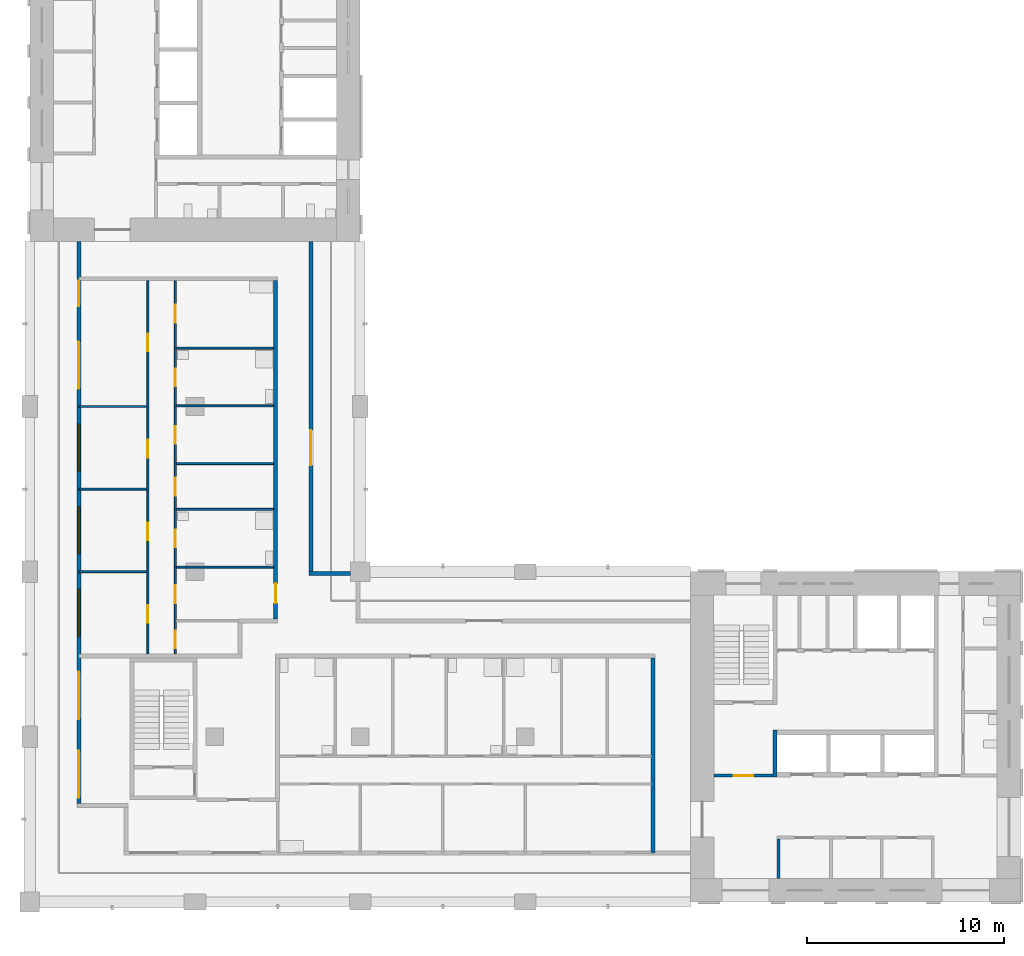
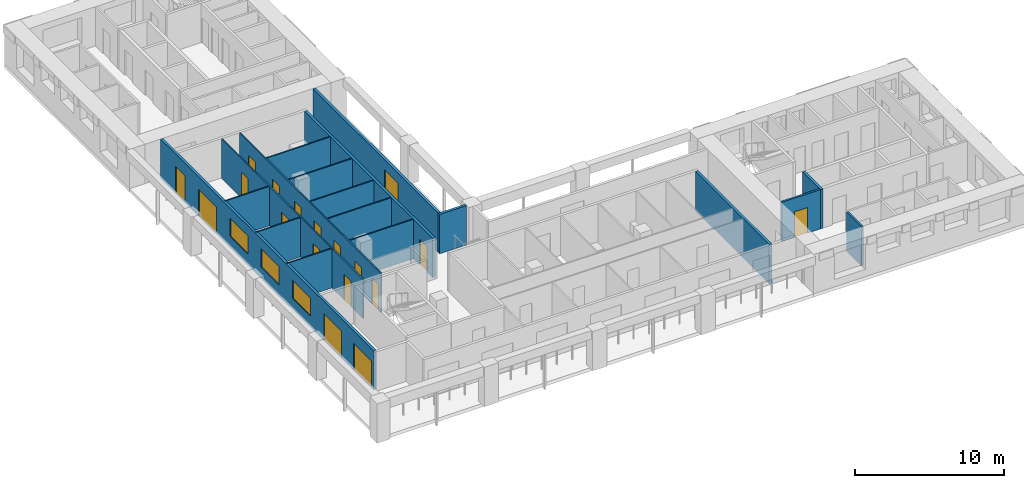
# One storey, part 3 of 10: 18 doors, 18 walls, 3 windows, 21 openings.
"""IFC4 building model written with IfcOpenShell, lengths in metres."""

from ifc_helpers import new_model, si_unit, direction, frame, frame_2d, origin, place, context, subcontext, project, spatial, rectangle, extrude, material, layer, layer_set, type_object, element, fill, save


model = new_model("IFC4")

# Units and contexts
model_context = context("Model", 3, precision=1e-05, world=origin(), true_north=direction((0.0, 1.0)))
body_context = subcontext(model_context, "Body", "Model", "MODEL_VIEW")
ifc_project = project(units=[si_unit("LENGTHUNIT", "METRE"), si_unit("AREAUNIT", "SQUARE_METRE"), si_unit("VOLUMEUNIT", "CUBIC_METRE"), si_unit("PLANEANGLEUNIT", "RADIAN"), si_unit("MASSUNIT", "GRAM", prefix="KILO")], contexts=[model_context])

# Site, building, storey
site_placement = place(None, origin())
site = spatial("IfcSite", under=ifc_project, at=site_placement, CompositionType="ELEMENT")
building_placement = place(site_placement, origin())
building = spatial("IfcBuilding", under=site, at=building_placement, Name="Vermilion Gate Residences", CompositionType="ELEMENT")
storey_placement = place(building_placement, frame((0.0, 0.0, 266.699951171875)))
storey = spatial("IfcBuildingStorey", under=building, at=storey_placement, Name="L70", CompositionType="ELEMENT", Elevation=266.699951171875)

# Wall
ifc_material_1 = material(Name="Masonry blockwork", Category="masonry")
ifc_layer_1 = layer(ifc_material_1, 0.14990234375)
ifc_layer_set_1 = layer_set([ifc_layer_1], Name="BLOCKWORK PARTITION 150 EI 120")
wall_type_1 = type_object("IfcWallType", Name="BLOCKWORK PARTITION 150 EI 120", PredefinedType="PARTITIONING", material=ifc_layer_set_1)
wall_1_placement = place(storey_placement, frame((46.47509765625, 9.60009765625, 0.0), z_axis=(0.0, 0.0, 1.0), x_axis=(0.0, 1.0, 0.0)))
element("IfcWall", 1, at=wall_1_placement, inside=storey, type_object=wall_type_1, Name="Core room partition A70-RW-W", PredefinedType="PARTITIONING", context=body_context, shape_type="SweptSolid", body=[
    extrude(rectangle(XDim=2.0, YDim=0.14990234375, at=frame_2d((1.0, 0.0))), origin(), (0.0, 0.0, 1.0), 3.219970703125),
])

# Wall, opening, door
wall_2_placement = place(storey_placement, frame((43.199951171875, 14.824951171875, 0.0), z_axis=(0.0, 0.0, 1.0), x_axis=(1.0, 0.0, 0.0)))
wall_2 = element("IfcWall", 2, at=wall_2_placement, inside=storey, type_object=wall_type_1, Name="Core room partition A70-VW-S", PredefinedType="PARTITIONING", context=body_context, shape_type="SweptSolid", body=[
    extrude(rectangle(XDim=3.0, YDim=0.14990234375, at=frame_2d((1.5, 0.0))), origin(), (0.0, 0.0, 1.0), 3.219970703125),
])
opening_1_placement = place(wall_2_placement, frame((1.0, 0.0, 0.0)))
opening_1 = element("IfcOpeningElement", 3, at=opening_1_placement, cuts=wall_2, Name="Opening DK70013", PredefinedType="OPENING", context=body_context, shape_type="SweptSolid", body=[
    extrude(rectangle(XDim=1.0, YDim=2.10009765625, at=frame_2d((0.5, 1.050048828125))), frame((0.0, 0.0849609375, 0.0), z_axis=(0.0, -1.0, 0.0), x_axis=(1.0, 0.0, 0.0)), (0.0, 0.0, 1.0), 0.169921875),
])
ifc_material_2 = material(Name="Steel", Category="steel")
door_type_1 = type_object("IfcDoorType", Name="FIRE DOOR FD60 1000 X 2100", OperationType="SINGLE_SWING_LEFT", PredefinedType="DOOR", material=ifc_material_2)
door_1_placement = place(opening_1_placement, frame((1.0, 0.0, 0.0), z_axis=(0.0, 0.0, 1.0), x_axis=(-1.0, 0.0, 0.0)))
door_1 = element("IfcDoor", 4, at=door_1_placement, inside=storey, type_object=door_type_1, Name="Stair vestibule door A70", OperationType="SINGLE_SWING_RIGHT", OverallHeight=2.10009765625, OverallWidth=1.0, PredefinedType="DOOR", context=body_context, shape_type="SweptSolid", body=[
    extrude(rectangle(XDim=1.0, YDim=2.10009765625, at=frame_2d((0.5, 1.050048828125))), frame((0.0, 0.02490234375, 0.0), z_axis=(0.0, -1.0, 0.0), x_axis=(1.0, 0.0, 0.0)), (0.0, 0.0, 1.0), 0.050048828125),
])
fill(opening_1, door_1)

# Wall, openings, doors, windows
ifc_material_3 = material(Name="Insulated steel stud wall with terracotta rainscreen", Category="masonry")
ifc_layer_2 = layer(ifc_material_3, 0.199951171875)
ifc_layer_set_2 = layer_set([ifc_layer_2], Name="EXTERNAL WALL 200 TERRACOTTA RAINSCREEN")
wall_type_2 = type_object("IfcWallType", Name="EXTERNAL WALL 200 TERRACOTTA RAINSCREEN", PredefinedType="SOLIDWALL", material=ifc_layer_set_2)
wall_3_placement = place(storey_placement, frame((10.89990234375, 42.0, 0.0), z_axis=(0.0, 0.0, 1.0), x_axis=(0.0, -1.0, 0.0)))
wall_3 = element("IfcWall", 5, at=wall_3_placement, inside=storey, type_object=wall_type_2, Name="External wall", PredefinedType="SOLIDWALL", context=body_context, shape_type="SweptSolid", body=[
    extrude(rectangle(XDim=28.60009765625, YDim=0.199951171875, at=frame_2d((14.300048828125, 0.0))), origin(), (0.0, 0.0, 1.0), 3.219970703125),
])
opening_2_placement = place(wall_3_placement, frame((25.89990234375, 0.0, 0.0)))
opening_2 = element("IfcOpeningElement", 6, at=opening_2_placement, cuts=wall_3, Name="Opening DE70001", PredefinedType="OPENING", context=body_context, shape_type="SweptSolid", body=[
    extrude(rectangle(XDim=2.39990234375, YDim=2.199951171875, at=frame_2d((1.199951171875, 1.10009765625))), frame((0.0, 0.10986328125, 0.0), z_axis=(0.0, -1.0, 0.0), x_axis=(1.0, 0.0, 0.0)), (0.0, 0.0, 1.0), 0.219970703125),
])
opening_3_placement = place(wall_3_placement, frame((21.89990234375, 0.0, 0.0)))
opening_3 = element("IfcOpeningElement", 7, at=opening_3_placement, cuts=wall_3, Name="Opening DE70002", PredefinedType="OPENING", context=body_context, shape_type="SweptSolid", body=[
    extrude(rectangle(XDim=2.39990234375, YDim=2.199951171875, at=frame_2d((1.199951171875, 1.10009765625))), frame((0.0, 0.10986328125, 0.0), z_axis=(0.0, -1.0, 0.0), x_axis=(1.0, 0.0, 0.0)), (0.0, 0.0, 1.0), 0.219970703125),
])
opening_4_placement = place(wall_3_placement, frame((17.699951171875, 0.0, 0.89990234375)))
opening_4 = element("IfcOpeningElement", 8, at=opening_4_placement, cuts=wall_3, Name="Opening WE70003", PredefinedType="OPENING", context=body_context, shape_type="SweptSolid", body=[
    extrude(rectangle(XDim=2.39990234375, YDim=1.5, at=frame_2d((1.199951171875, 0.75))), frame((0.0, 0.10986328125, 0.0), z_axis=(0.0, -1.0, 0.0), x_axis=(1.0, 0.0, 0.0)), (0.0, 0.0, 1.0), 0.219970703125),
])
opening_5_placement = place(wall_3_placement, frame((13.5, 0.0, 0.89990234375)))
opening_5 = element("IfcOpeningElement", 9, at=opening_5_placement, cuts=wall_3, Name="Opening WE70004", PredefinedType="OPENING", context=body_context, shape_type="SweptSolid", body=[
    extrude(rectangle(XDim=2.39990234375, YDim=1.5, at=frame_2d((1.199951171875, 0.75))), frame((0.0, 0.10986328125, 0.0), z_axis=(0.0, -1.0, 0.0), x_axis=(1.0, 0.0, 0.0)), (0.0, 0.0, 1.0), 0.219970703125),
])
opening_6_placement = place(wall_3_placement, frame((9.300048828125, 0.0, 0.89990234375)))
opening_6 = element("IfcOpeningElement", 10, at=opening_6_placement, cuts=wall_3, Name="Opening WE70005", PredefinedType="OPENING", context=body_context, shape_type="SweptSolid", body=[
    extrude(rectangle(XDim=2.39990234375, YDim=1.5, at=frame_2d((1.199951171875, 0.75))), frame((0.0, 0.10986328125, 0.0), z_axis=(0.0, -1.0, 0.0), x_axis=(1.0, 0.0, 0.0)), (0.0, 0.0, 1.0), 0.219970703125),
])
opening_7_placement = place(wall_3_placement, frame((5.10009765625, 0.0, 0.0)))
opening_7 = element("IfcOpeningElement", 11, at=opening_7_placement, cuts=wall_3, Name="Opening DE70006", PredefinedType="OPENING", context=body_context, shape_type="SweptSolid", body=[
    extrude(rectangle(XDim=2.39990234375, YDim=2.199951171875, at=frame_2d((1.199951171875, 1.10009765625))), frame((0.0, 0.10986328125, 0.0), z_axis=(0.0, -1.0, 0.0), x_axis=(1.0, 0.0, 0.0)), (0.0, 0.0, 1.0), 0.219970703125),
])
opening_8_placement = place(wall_3_placement, frame((2.0, 0.0, 0.0)))
opening_8 = element("IfcOpeningElement", 12, at=opening_8_placement, cuts=wall_3, Name="Opening DE70007", PredefinedType="OPENING", context=body_context, shape_type="SweptSolid", body=[
    extrude(rectangle(XDim=1.300048828125, YDim=2.199951171875, at=frame_2d((0.64990234375, 1.10009765625))), frame((0.0, 0.10986328125, 0.0), z_axis=(0.0, -1.0, 0.0), x_axis=(1.0, 0.0, 0.0)), (0.0, 0.0, 1.0), 0.219970703125),
])
ifc_material_4 = material(Name="Aluminium and clear glass", Category="aluminium")
door_type_2 = type_object("IfcDoorType", Name="SLIDING GLAZED DOOR 1300 X 2200", OperationType="DOUBLE_DOOR_SLIDING", PredefinedType="DOOR", material=ifc_material_4)
door_2_placement = place(opening_8_placement, origin())
door_2 = element("IfcDoor", 13, at=door_2_placement, inside=storey, type_object=door_type_2, Name="Loggia sliding door", OperationType="DOUBLE_DOOR_SLIDING", OverallHeight=2.199951171875, OverallWidth=1.300048828125, PredefinedType="DOOR", context=body_context, shape_type="SweptSolid", body=[
    extrude(rectangle(XDim=1.300048828125, YDim=2.199951171875, at=frame_2d((0.64990234375, 1.10009765625))), frame((0.0, 0.02490234375, 0.0), z_axis=(0.0, -1.0, 0.0), x_axis=(1.0, 0.0, 0.0)), (0.0, 0.0, 1.0), 0.050048828125),
])
fill(opening_8, door_2)
ifc_material_5 = material(Name="Aluminium and clear glass", Category="aluminium")
door_type_3 = type_object("IfcDoorType", Name="SLIDING GLAZED DOOR 2400 X 2200", OperationType="DOUBLE_DOOR_SLIDING", PredefinedType="DOOR", material=ifc_material_5)
door_3_placement = place(opening_2_placement, origin())
door_3 = element("IfcDoor", 14, at=door_3_placement, inside=storey, type_object=door_type_3, Name="Loggia sliding door", OperationType="DOUBLE_DOOR_SLIDING", OverallHeight=2.199951171875, OverallWidth=2.39990234375, PredefinedType="DOOR", context=body_context, shape_type="SweptSolid", body=[
    extrude(rectangle(XDim=2.39990234375, YDim=2.199951171875, at=frame_2d((1.199951171875, 1.10009765625))), frame((0.0, 0.02490234375, 0.0), z_axis=(0.0, -1.0, 0.0), x_axis=(1.0, 0.0, 0.0)), (0.0, 0.0, 1.0), 0.050048828125),
])
fill(opening_2, door_3)
door_4_placement = place(opening_3_placement, origin())
door_4 = element("IfcDoor", 15, at=door_4_placement, inside=storey, type_object=door_type_3, Name="Loggia sliding door", OperationType="DOUBLE_DOOR_SLIDING", OverallHeight=2.199951171875, OverallWidth=2.39990234375, PredefinedType="DOOR", context=body_context, shape_type="SweptSolid", body=[
    extrude(rectangle(XDim=2.39990234375, YDim=2.199951171875, at=frame_2d((1.199951171875, 1.10009765625))), frame((0.0, 0.02490234375, 0.0), z_axis=(0.0, -1.0, 0.0), x_axis=(1.0, 0.0, 0.0)), (0.0, 0.0, 1.0), 0.050048828125),
])
fill(opening_3, door_4)
door_5_placement = place(opening_7_placement, origin())
door_5 = element("IfcDoor", 16, at=door_5_placement, inside=storey, type_object=door_type_3, Name="Loggia sliding door", OperationType="DOUBLE_DOOR_SLIDING", OverallHeight=2.199951171875, OverallWidth=2.39990234375, PredefinedType="DOOR", context=body_context, shape_type="SweptSolid", body=[
    extrude(rectangle(XDim=2.39990234375, YDim=2.199951171875, at=frame_2d((1.199951171875, 1.10009765625))), frame((0.0, 0.02490234375, 0.0), z_axis=(0.0, -1.0, 0.0), x_axis=(1.0, 0.0, 0.0)), (0.0, 0.0, 1.0), 0.050048828125),
])
fill(opening_7, door_5)
ifc_material_6 = material(Name="Aluminium and clear glass", Category="aluminium")
window_type = type_object("IfcWindowType", Name="WINDOW 2400 X 1500", PartitioningType="SINGLE_PANEL", PredefinedType="WINDOW", material=ifc_material_6)
window_1_placement = place(opening_4_placement, origin())
window_1 = element("IfcWindow", 17, at=window_1_placement, inside=storey, type_object=window_type, Name="Window", OverallHeight=1.5, OverallWidth=2.39990234375, PartitioningType="SINGLE_PANEL", PredefinedType="WINDOW", context=body_context, shape_type="SweptSolid", body=[
    extrude(rectangle(XDim=2.39990234375, YDim=1.5, at=frame_2d((1.199951171875, 0.75))), frame((0.0, 0.030029296875, 0.0), z_axis=(0.0, -1.0, 0.0), x_axis=(1.0, 0.0, 0.0)), (0.0, 0.0, 1.0), 0.06005859375),
])
fill(opening_4, window_1)
window_2_placement = place(opening_5_placement, origin())
window_2 = element("IfcWindow", 18, at=window_2_placement, inside=storey, type_object=window_type, Name="Window", OverallHeight=1.5, OverallWidth=2.39990234375, PartitioningType="SINGLE_PANEL", PredefinedType="WINDOW", context=body_context, shape_type="SweptSolid", body=[
    extrude(rectangle(XDim=2.39990234375, YDim=1.5, at=frame_2d((1.199951171875, 0.75))), frame((0.0, 0.030029296875, 0.0), z_axis=(0.0, -1.0, 0.0), x_axis=(1.0, 0.0, 0.0)), (0.0, 0.0, 1.0), 0.06005859375),
])
fill(opening_5, window_2)
window_3_placement = place(opening_6_placement, origin())
window_3 = element("IfcWindow", 19, at=window_3_placement, inside=storey, type_object=window_type, Name="Window", OverallHeight=1.5, OverallWidth=2.39990234375, PartitioningType="SINGLE_PANEL", PredefinedType="WINDOW", context=body_context, shape_type="SweptSolid", body=[
    extrude(rectangle(XDim=2.39990234375, YDim=1.5, at=frame_2d((1.199951171875, 0.75))), frame((0.0, 0.030029296875, 0.0), z_axis=(0.0, -1.0, 0.0), x_axis=(1.0, 0.0, 0.0)), (0.0, 0.0, 1.0), 0.06005859375),
])
fill(opening_6, window_3)

# Wall
wall_4_placement = place(storey_placement, frame((24.699951171875, 25.10009765625, 0.0), z_axis=(0.0, 0.0, 1.0), x_axis=(-1.0, 0.0, 0.0)))
element("IfcWall", 20, at=wall_4_placement, inside=storey, type_object=wall_type_2, Name="External wall", PredefinedType="SOLIDWALL", context=body_context, shape_type="SweptSolid", body=[
    extrude(rectangle(XDim=2.099853515625, YDim=0.199951171875, at=frame_2d((1.0498046875, 0.0))), origin(), (0.0, 0.0, 1.0), 3.219970703125),
])

# Wall, opening, door
wall_5_placement = place(storey_placement, frame((22.699951171875, 25.199951171875, 0.0), z_axis=(0.0, 0.0, 1.0), x_axis=(0.0, 1.0, 0.0)))
wall_5 = element("IfcWall", 21, at=wall_5_placement, inside=storey, type_object=wall_type_2, Name="External wall", PredefinedType="SOLIDWALL", context=body_context, shape_type="SweptSolid", body=[
    extrude(rectangle(XDim=16.800048828125, YDim=0.199951171875, at=frame_2d((8.39990234375, 0.0))), origin(), (0.0, 0.0, 1.0), 3.219970703125),
])
opening_9_placement = place(wall_5_placement, frame((5.39990234375, 0.0, 0.0)))
opening_9 = element("IfcOpeningElement", 22, at=opening_9_placement, cuts=wall_5, Name="Opening DE70016", PredefinedType="OPENING", context=body_context, shape_type="SweptSolid", body=[
    extrude(rectangle(XDim=1.800048828125, YDim=2.39990234375, at=frame_2d((0.89990234375, 1.199951171875))), frame((0.0, 0.10986328125, 0.0), z_axis=(0.0, -1.0, 0.0), x_axis=(1.0, 0.0, 0.0)), (0.0, 0.0, 1.0), 0.219970703125),
])
ifc_material_7 = material(Name="Aluminium and clear glass", Category="aluminium")
door_type_4 = type_object("IfcDoorType", Name="GLAZED EXTERNAL DOOR 1800 X 2400", OperationType="DOUBLE_DOOR_SINGLE_SWING", PredefinedType="DOOR", material=ifc_material_7)
door_6_placement = place(opening_9_placement, frame((1.800048828125, 0.0, 0.0), z_axis=(0.0, 0.0, 1.0), x_axis=(-1.0, 0.0, 0.0)))
door_6 = element("IfcDoor", 23, at=door_6_placement, inside=storey, type_object=door_type_4, Name="Gallery door", OperationType="DOUBLE_DOOR_SINGLE_SWING", OverallHeight=2.39990234375, OverallWidth=1.800048828125, PredefinedType="DOOR", context=body_context, shape_type="SweptSolid", body=[
    extrude(rectangle(XDim=1.800048828125, YDim=2.39990234375, at=frame_2d((0.89990234375, 1.199951171875))), frame((0.0, 0.02490234375, 0.0), z_axis=(0.0, -1.0, 0.0), x_axis=(1.0, 0.0, 0.0)), (0.0, 0.0, 1.0), 0.050048828125),
])
fill(opening_9, door_6)

# Walls
ifc_material_8 = material(Name="Plasterboard on steel studs", Category="steel")
ifc_layer_3 = layer(ifc_material_8, 0.10009765625)
ifc_layer_set_3 = layer_set([ifc_layer_3], Name="PARTITION 100")
wall_type_3 = type_object("IfcWallType", Name="PARTITION 100", PredefinedType="PARTITIONING", material=ifc_layer_set_3)
wall_6_placement = place(storey_placement, frame((10.89990234375, 25.199951171875, 0.0), z_axis=(0.0, 0.0, 1.0), x_axis=(1.0, 0.0, 0.0)))
element("IfcWall", 24, at=wall_6_placement, inside=storey, type_object=wall_type_3, Name="Partition", PredefinedType="PARTITIONING", context=body_context, shape_type="SweptSolid", body=[
    extrude(rectangle(XDim=3.4501953125, YDim=0.10009765625, at=frame_2d((1.72509765625, 0.0))), origin(), (0.0, 0.0, 1.0), 3.219970703125),
])
for number, where, z_axis, x_axis, name in (
    (25, (15.85009765625, 25.43310546875, 0.0), (0.0, 0.0, 1.0), (1.0, 0.0, 0.0), "Partition"),
    (26, (15.85009765625, 28.366943359375, 0.0), (0.0, 0.0, 1.0), (1.0, 0.0, 0.0), "Partition"),
):
    element("IfcWall", number, at=place(storey_placement, frame(where, z_axis=z_axis, x_axis=x_axis)), inside=storey, type_object=wall_type_3, Name=name, PredefinedType="PARTITIONING", context=body_context, shape_type="SweptSolid", body=[
        extrude(rectangle(XDim=4.949951171875, YDim=0.10009765625, at=frame_2d((2.47509765625, 0.0))), origin(), (0.0, 0.0, 1.0), 3.219970703125),
    ])
wall_7_placement = place(storey_placement, frame((10.89990234375, 29.39990234375, 0.0), z_axis=(0.0, 0.0, 1.0), x_axis=(1.0, 0.0, 0.0)))
element("IfcWall", 27, at=wall_7_placement, inside=storey, type_object=wall_type_3, Name="Partition", PredefinedType="PARTITIONING", context=body_context, shape_type="SweptSolid", body=[
    extrude(rectangle(XDim=3.4501953125, YDim=0.10009765625, at=frame_2d((1.72509765625, 0.0))), origin(), (0.0, 0.0, 1.0), 3.219970703125),
])
wall_8_placement = place(storey_placement, frame((15.85009765625, 30.699951171875, 0.0), z_axis=(0.0, 0.0, 1.0), x_axis=(1.0, 0.0, 0.0)))
element("IfcWall", 28, at=wall_8_placement, inside=storey, type_object=wall_type_3, Name="Partition", PredefinedType="PARTITIONING", context=body_context, shape_type="SweptSolid", body=[
    extrude(rectangle(XDim=4.949951171875, YDim=0.10009765625, at=frame_2d((2.47509765625, 0.0))), origin(), (0.0, 0.0, 1.0), 3.219970703125),
])
wall_9_placement = place(storey_placement, frame((10.89990234375, 33.60009765625, 0.0), z_axis=(0.0, 0.0, 1.0), x_axis=(1.0, 0.0, 0.0)))
element("IfcWall", 29, at=wall_9_placement, inside=storey, type_object=wall_type_3, Name="Partition", PredefinedType="PARTITIONING", context=body_context, shape_type="SweptSolid", body=[
    extrude(rectangle(XDim=3.4501953125, YDim=0.10009765625, at=frame_2d((1.72509765625, 0.0))), origin(), (0.0, 0.0, 1.0), 3.219970703125),
])
for number, where, z_axis, x_axis, name in (
    (30, (15.85009765625, 33.633056640625, 0.0), (0.0, 0.0, 1.0), (1.0, 0.0, 0.0), "Partition"),
    (31, (15.85009765625, 36.56689453125, 0.0), (0.0, 0.0, 1.0), (1.0, 0.0, 0.0), "Partition"),
):
    element("IfcWall", number, at=place(storey_placement, frame(where, z_axis=z_axis, x_axis=x_axis)), inside=storey, type_object=wall_type_3, Name=name, PredefinedType="PARTITIONING", context=body_context, shape_type="SweptSolid", body=[
        extrude(rectangle(XDim=4.949951171875, YDim=0.10009765625, at=frame_2d((2.47509765625, 0.0))), origin(), (0.0, 0.0, 1.0), 3.219970703125),
    ])

# Wall, openings, doors
wall_10_placement = place(storey_placement, frame((14.39990234375, 21.0, 0.0), z_axis=(0.0, 0.0, 1.0), x_axis=(0.0, 1.0, 0.0)))
wall_10 = element("IfcWall", 32, at=wall_10_placement, inside=storey, type_object=wall_type_3, Name="Partition", PredefinedType="PARTITIONING", context=body_context, shape_type="SweptSolid", body=[
    extrude(rectangle(XDim=19.0, YDim=0.10009765625, at=frame_2d((9.5, 0.0))), origin(), (0.0, 0.0, 1.0), 3.219970703125),
])
opening_10_placement = place(wall_10_placement, frame((1.60009765625, 0.0, 0.0)))
opening_10 = element("IfcOpeningElement", 33, at=opening_10_placement, cuts=wall_10, Name="Opening DA70014", PredefinedType="OPENING", context=body_context, shape_type="SweptSolid", body=[
    extrude(rectangle(XDim=0.89990234375, YDim=2.10009765625, at=frame_2d((0.449951171875, 1.050048828125))), frame((0.0, 0.06005859375, 0.0), z_axis=(0.0, -1.0, 0.0), x_axis=(1.0, 0.0, 0.0)), (0.0, 0.0, 1.0), 0.1201171875),
])
opening_11_placement = place(wall_10_placement, frame((5.800048828125, 0.0, 0.0)))
opening_11 = element("IfcOpeningElement", 34, at=opening_11_placement, cuts=wall_10, Name="Opening DA70015", PredefinedType="OPENING", context=body_context, shape_type="SweptSolid", body=[
    extrude(rectangle(XDim=0.89990234375, YDim=2.10009765625, at=frame_2d((0.449951171875, 1.050048828125))), frame((0.0, 0.06005859375, 0.0), z_axis=(0.0, -1.0, 0.0), x_axis=(1.0, 0.0, 0.0)), (0.0, 0.0, 1.0), 0.1201171875),
])
opening_12_placement = place(wall_10_placement, frame((10.0, 0.0, 0.0)))
opening_12 = element("IfcOpeningElement", 35, at=opening_12_placement, cuts=wall_10, Name="Opening DA70016", PredefinedType="OPENING", context=body_context, shape_type="SweptSolid", body=[
    extrude(rectangle(XDim=0.89990234375, YDim=2.10009765625, at=frame_2d((0.449951171875, 1.050048828125))), frame((0.0, 0.06005859375, 0.0), z_axis=(0.0, -1.0, 0.0), x_axis=(1.0, 0.0, 0.0)), (0.0, 0.0, 1.0), 0.1201171875),
])
opening_13_placement = place(wall_10_placement, frame((15.39990234375, 0.0, 0.0)))
opening_13 = element("IfcOpeningElement", 36, at=opening_13_placement, cuts=wall_10, Name="Opening DA70017", PredefinedType="OPENING", context=body_context, shape_type="SweptSolid", body=[
    extrude(rectangle(XDim=0.89990234375, YDim=2.10009765625, at=frame_2d((0.449951171875, 1.050048828125))), frame((0.0, 0.06005859375, 0.0), z_axis=(0.0, -1.0, 0.0), x_axis=(1.0, 0.0, 0.0)), (0.0, 0.0, 1.0), 0.1201171875),
])
ifc_material_9 = material(Name="Timber", Category="wood")
door_type_5 = type_object("IfcDoorType", Name="INTERIOR DOOR 900 X 2100", OperationType="SINGLE_SWING_LEFT", PredefinedType="DOOR", material=ifc_material_9)
door_7_placement = place(opening_10_placement, origin())
door_7 = element("IfcDoor", 37, at=door_7_placement, inside=storey, type_object=door_type_5, Name="Interior door", OperationType="SINGLE_SWING_LEFT", OverallHeight=2.10009765625, OverallWidth=0.89990234375, PredefinedType="DOOR", context=body_context, shape_type="SweptSolid", body=[
    extrude(rectangle(XDim=0.89990234375, YDim=2.10009765625, at=frame_2d((0.449951171875, 1.050048828125))), frame((0.0, 0.02490234375, 0.0), z_axis=(0.0, -1.0, 0.0), x_axis=(1.0, 0.0, 0.0)), (0.0, 0.0, 1.0), 0.050048828125),
])
fill(opening_10, door_7)
door_8_placement = place(opening_11_placement, origin())
door_8 = element("IfcDoor", 38, at=door_8_placement, inside=storey, type_object=door_type_5, Name="Interior door", OperationType="SINGLE_SWING_LEFT", OverallHeight=2.10009765625, OverallWidth=0.89990234375, PredefinedType="DOOR", context=body_context, shape_type="SweptSolid", body=[
    extrude(rectangle(XDim=0.89990234375, YDim=2.10009765625, at=frame_2d((0.449951171875, 1.050048828125))), frame((0.0, 0.02490234375, 0.0), z_axis=(0.0, -1.0, 0.0), x_axis=(1.0, 0.0, 0.0)), (0.0, 0.0, 1.0), 0.050048828125),
])
fill(opening_11, door_8)
door_9_placement = place(opening_12_placement, origin())
door_9 = element("IfcDoor", 39, at=door_9_placement, inside=storey, type_object=door_type_5, Name="Interior door", OperationType="SINGLE_SWING_LEFT", OverallHeight=2.10009765625, OverallWidth=0.89990234375, PredefinedType="DOOR", context=body_context, shape_type="SweptSolid", body=[
    extrude(rectangle(XDim=0.89990234375, YDim=2.10009765625, at=frame_2d((0.449951171875, 1.050048828125))), frame((0.0, 0.02490234375, 0.0), z_axis=(0.0, -1.0, 0.0), x_axis=(1.0, 0.0, 0.0)), (0.0, 0.0, 1.0), 0.050048828125),
])
fill(opening_12, door_9)
door_10_placement = place(opening_13_placement, origin())
door_10 = element("IfcDoor", 40, at=door_10_placement, inside=storey, type_object=door_type_5, Name="Interior door", OperationType="SINGLE_SWING_RIGHT", OverallHeight=2.10009765625, OverallWidth=0.89990234375, PredefinedType="DOOR", context=body_context, shape_type="SweptSolid", body=[
    extrude(rectangle(XDim=0.89990234375, YDim=2.10009765625, at=frame_2d((0.449951171875, 1.050048828125))), frame((0.0, 0.02490234375, 0.0), z_axis=(0.0, -1.0, 0.0), x_axis=(1.0, 0.0, 0.0)), (0.0, 0.0, 1.0), 0.050048828125),
])
fill(opening_13, door_10)

wall_11_placement = place(storey_placement, frame((15.800048828125, 21.0, 0.0), z_axis=(0.0, 0.0, 1.0), x_axis=(0.0, 1.0, 0.0)))
wall_11 = element("IfcWall", 41, at=wall_11_placement, inside=storey, type_object=wall_type_3, Name="Partition", PredefinedType="PARTITIONING", context=body_context, shape_type="SweptSolid", body=[
    extrude(rectangle(XDim=19.0, YDim=0.10009765625, at=frame_2d((9.5, 0.0))), origin(), (0.0, 0.0, 1.0), 3.219970703125),
])
opening_14_placement = place(wall_11_placement, frame((2.60009765625, 0.0, 0.0)))
opening_14 = element("IfcOpeningElement", 42, at=opening_14_placement, cuts=wall_11, Name="Opening DA70018", PredefinedType="OPENING", context=body_context, shape_type="SweptSolid", body=[
    extrude(rectangle(XDim=0.89990234375, YDim=2.10009765625, at=frame_2d((0.449951171875, 1.050048828125))), frame((0.0, 0.06005859375, 0.0), z_axis=(0.0, -1.0, 0.0), x_axis=(1.0, 0.0, 0.0)), (0.0, 0.0, 1.0), 0.1201171875),
])
opening_15_placement = place(wall_11_placement, frame((0.300048828125, 0.0, 0.0)))
opening_15 = element("IfcOpeningElement", 43, at=opening_15_placement, cuts=wall_11, Name="Opening DA70019", PredefinedType="OPENING", context=body_context, shape_type="SweptSolid", body=[
    extrude(rectangle(XDim=0.89990234375, YDim=2.10009765625, at=frame_2d((0.449951171875, 1.050048828125))), frame((0.0, 0.06005859375, 0.0), z_axis=(0.0, -1.0, 0.0), x_axis=(1.0, 0.0, 0.0)), (0.0, 0.0, 1.0), 0.1201171875),
])
opening_16_placement = place(wall_11_placement, frame((5.43310546875, 0.0, 0.0)))
opening_16 = element("IfcOpeningElement", 44, at=opening_16_placement, cuts=wall_11, Name="Opening DA70020", PredefinedType="OPENING", context=body_context, shape_type="SweptSolid", body=[
    extrude(rectangle(XDim=0.89990234375, YDim=2.10009765625, at=frame_2d((0.449951171875, 1.050048828125))), frame((0.0, 0.06005859375, 0.0), z_axis=(0.0, -1.0, 0.0), x_axis=(1.0, 0.0, 0.0)), (0.0, 0.0, 1.0), 0.1201171875),
])
opening_17_placement = place(wall_11_placement, frame((8.06689453125, 0.0, 0.0)))
opening_17 = element("IfcOpeningElement", 45, at=opening_17_placement, cuts=wall_11, Name="Opening DA70021", PredefinedType="OPENING", context=body_context, shape_type="SweptSolid", body=[
    extrude(rectangle(XDim=0.89990234375, YDim=2.10009765625, at=frame_2d((0.449951171875, 1.050048828125))), frame((0.0, 0.06005859375, 0.0), z_axis=(0.0, -1.0, 0.0), x_axis=(1.0, 0.0, 0.0)), (0.0, 0.0, 1.0), 0.1201171875),
])
opening_18_placement = place(wall_11_placement, frame((10.699951171875, 0.0, 0.0)))
opening_18 = element("IfcOpeningElement", 46, at=opening_18_placement, cuts=wall_11, Name="Opening DA70022", PredefinedType="OPENING", context=body_context, shape_type="SweptSolid", body=[
    extrude(rectangle(XDim=0.89990234375, YDim=2.10009765625, at=frame_2d((0.449951171875, 1.050048828125))), frame((0.0, 0.06005859375, 0.0), z_axis=(0.0, -1.0, 0.0), x_axis=(1.0, 0.0, 0.0)), (0.0, 0.0, 1.0), 0.1201171875),
])
opening_19_placement = place(wall_11_placement, frame((13.633056640625, 0.0, 0.0)))
opening_19 = element("IfcOpeningElement", 47, at=opening_19_placement, cuts=wall_11, Name="Opening DA70023", PredefinedType="OPENING", context=body_context, shape_type="SweptSolid", body=[
    extrude(rectangle(XDim=0.89990234375, YDim=2.10009765625, at=frame_2d((0.449951171875, 1.050048828125))), frame((0.0, 0.06005859375, 0.0), z_axis=(0.0, -1.0, 0.0), x_axis=(1.0, 0.0, 0.0)), (0.0, 0.0, 1.0), 0.1201171875),
])
opening_20_placement = place(wall_11_placement, frame((16.866943359375, 0.0, 0.0)))
opening_20 = element("IfcOpeningElement", 48, at=opening_20_placement, cuts=wall_11, Name="Opening DA70024", PredefinedType="OPENING", context=body_context, shape_type="SweptSolid", body=[
    extrude(rectangle(XDim=0.89990234375, YDim=2.10009765625, at=frame_2d((0.449951171875, 1.050048828125))), frame((0.0, 0.06005859375, 0.0), z_axis=(0.0, -1.0, 0.0), x_axis=(1.0, 0.0, 0.0)), (0.0, 0.0, 1.0), 0.1201171875),
])
door_11_placement = place(opening_14_placement, frame((0.89990234375, 0.0, 0.0), z_axis=(0.0, 0.0, 1.0), x_axis=(-1.0, 0.0, 0.0)))
door_11 = element("IfcDoor", 49, at=door_11_placement, inside=storey, type_object=door_type_5, Name="Interior door", OperationType="SINGLE_SWING_RIGHT", OverallHeight=2.10009765625, OverallWidth=0.89990234375, PredefinedType="DOOR", context=body_context, shape_type="SweptSolid", body=[
    extrude(rectangle(XDim=0.89990234375, YDim=2.10009765625, at=frame_2d((0.449951171875, 1.050048828125))), frame((0.0, 0.02490234375, 0.0), z_axis=(0.0, -1.0, 0.0), x_axis=(1.0, 0.0, 0.0)), (0.0, 0.0, 1.0), 0.050048828125),
])
fill(opening_14, door_11)
door_12_placement = place(opening_15_placement, frame((0.89990234375, 0.0, 0.0), z_axis=(0.0, 0.0, 1.0), x_axis=(-1.0, 0.0, 0.0)))
door_12 = element("IfcDoor", 50, at=door_12_placement, inside=storey, type_object=door_type_5, Name="Interior door", OperationType="SINGLE_SWING_RIGHT", OverallHeight=2.10009765625, OverallWidth=0.89990234375, PredefinedType="DOOR", context=body_context, shape_type="SweptSolid", body=[
    extrude(rectangle(XDim=0.89990234375, YDim=2.10009765625, at=frame_2d((0.449951171875, 1.050048828125))), frame((0.0, 0.02490234375, 0.0), z_axis=(0.0, -1.0, 0.0), x_axis=(1.0, 0.0, 0.0)), (0.0, 0.0, 1.0), 0.050048828125),
])
fill(opening_15, door_12)
door_13_placement = place(opening_16_placement, frame((0.89990234375, 0.0, 0.0), z_axis=(0.0, 0.0, 1.0), x_axis=(-1.0, 0.0, 0.0)))
door_13 = element("IfcDoor", 51, at=door_13_placement, inside=storey, type_object=door_type_5, Name="Interior door", OperationType="SINGLE_SWING_LEFT", OverallHeight=2.10009765625, OverallWidth=0.89990234375, PredefinedType="DOOR", context=body_context, shape_type="SweptSolid", body=[
    extrude(rectangle(XDim=0.89990234375, YDim=2.10009765625, at=frame_2d((0.449951171875, 1.050048828125))), frame((0.0, 0.02490234375, 0.0), z_axis=(0.0, -1.0, 0.0), x_axis=(1.0, 0.0, 0.0)), (0.0, 0.0, 1.0), 0.050048828125),
])
fill(opening_16, door_13)
door_14_placement = place(opening_17_placement, frame((0.89990234375, 0.0, 0.0), z_axis=(0.0, 0.0, 1.0), x_axis=(-1.0, 0.0, 0.0)))
door_14 = element("IfcDoor", 52, at=door_14_placement, inside=storey, type_object=door_type_5, Name="Interior door", OperationType="SINGLE_SWING_RIGHT", OverallHeight=2.10009765625, OverallWidth=0.89990234375, PredefinedType="DOOR", context=body_context, shape_type="SweptSolid", body=[
    extrude(rectangle(XDim=0.89990234375, YDim=2.10009765625, at=frame_2d((0.449951171875, 1.050048828125))), frame((0.0, 0.02490234375, 0.0), z_axis=(0.0, -1.0, 0.0), x_axis=(1.0, 0.0, 0.0)), (0.0, 0.0, 1.0), 0.050048828125),
])
fill(opening_17, door_14)
door_15_placement = place(opening_18_placement, frame((0.89990234375, 0.0, 0.0), z_axis=(0.0, 0.0, 1.0), x_axis=(-1.0, 0.0, 0.0)))
door_15 = element("IfcDoor", 53, at=door_15_placement, inside=storey, type_object=door_type_5, Name="Interior door", OperationType="SINGLE_SWING_RIGHT", OverallHeight=2.10009765625, OverallWidth=0.89990234375, PredefinedType="DOOR", context=body_context, shape_type="SweptSolid", body=[
    extrude(rectangle(XDim=0.89990234375, YDim=2.10009765625, at=frame_2d((0.449951171875, 1.050048828125))), frame((0.0, 0.02490234375, 0.0), z_axis=(0.0, -1.0, 0.0), x_axis=(1.0, 0.0, 0.0)), (0.0, 0.0, 1.0), 0.050048828125),
])
fill(opening_18, door_15)
door_16_placement = place(opening_19_placement, frame((0.89990234375, 0.0, 0.0), z_axis=(0.0, 0.0, 1.0), x_axis=(-1.0, 0.0, 0.0)))
door_16 = element("IfcDoor", 54, at=door_16_placement, inside=storey, type_object=door_type_5, Name="Interior door", OperationType="SINGLE_SWING_LEFT", OverallHeight=2.10009765625, OverallWidth=0.89990234375, PredefinedType="DOOR", context=body_context, shape_type="SweptSolid", body=[
    extrude(rectangle(XDim=0.89990234375, YDim=2.10009765625, at=frame_2d((0.449951171875, 1.050048828125))), frame((0.0, 0.02490234375, 0.0), z_axis=(0.0, -1.0, 0.0), x_axis=(1.0, 0.0, 0.0)), (0.0, 0.0, 1.0), 0.050048828125),
])
fill(opening_19, door_16)
door_17_placement = place(opening_20_placement, frame((0.89990234375, 0.0, 0.0), z_axis=(0.0, 0.0, 1.0), x_axis=(-1.0, 0.0, 0.0)))
door_17 = element("IfcDoor", 55, at=door_17_placement, inside=storey, type_object=door_type_5, Name="Interior door", OperationType="SINGLE_SWING_LEFT", OverallHeight=2.10009765625, OverallWidth=0.89990234375, PredefinedType="DOOR", context=body_context, shape_type="SweptSolid", body=[
    extrude(rectangle(XDim=0.89990234375, YDim=2.10009765625, at=frame_2d((0.449951171875, 1.050048828125))), frame((0.0, 0.02490234375, 0.0), z_axis=(0.0, -1.0, 0.0), x_axis=(1.0, 0.0, 0.0)), (0.0, 0.0, 1.0), 0.050048828125),
])
fill(opening_20, door_17)

# Wall, opening, door
ifc_material_10 = material(Name="Fire-rated plasterboard on steel studs", Category="steel")
ifc_layer_4 = layer(ifc_material_10, 0.199951171875)
ifc_layer_set_4 = layer_set([ifc_layer_4], Name="PARTY WALL 200 EI 120")
wall_type_4 = type_object("IfcWallType", Name="PARTY WALL 200 EI 120", PredefinedType="PARTITIONING", material=ifc_layer_set_4)
wall_12_placement = place(storey_placement, frame((20.89990234375, 22.800048828125, 0.0), z_axis=(0.0, 0.0, 1.0), x_axis=(0.0, 1.0, 0.0)))
wall_12 = element("IfcWall", 56, at=wall_12_placement, inside=storey, type_object=wall_type_4, Name="Party and corridor wall", PredefinedType="PARTITIONING", context=body_context, shape_type="SweptSolid", body=[
    extrude(rectangle(XDim=17.199951171875, YDim=0.199951171875, at=frame_2d((8.60009765625, 0.0))), origin(), (0.0, 0.0, 1.0), 3.219970703125),
])
opening_21_placement = place(wall_12_placement, frame((0.800048828125, 0.0, 0.0)))
opening_21 = element("IfcOpeningElement", 57, at=opening_21_placement, cuts=wall_12, Name="Opening DA70025", PredefinedType="OPENING", context=body_context, shape_type="SweptSolid", body=[
    extrude(rectangle(XDim=1.0, YDim=2.10009765625, at=frame_2d((0.5, 1.050048828125))), frame((0.0, 0.10986328125, 0.0), z_axis=(0.0, -1.0, 0.0), x_axis=(1.0, 0.0, 0.0)), (0.0, 0.0, 1.0), 0.219970703125),
])
ifc_material_11 = material(Name="Steel", Category="steel")
door_type_6 = type_object("IfcDoorType", Name="ENTRANCE DOOR 1000 X 2100 FD30", OperationType="SINGLE_SWING_LEFT", PredefinedType="DOOR", material=ifc_material_11)
door_18_placement = place(opening_21_placement, origin())
door_18 = element("IfcDoor", 58, at=door_18_placement, inside=storey, type_object=door_type_6, Name="Entrance door", OperationType="SINGLE_SWING_RIGHT", OverallHeight=2.10009765625, OverallWidth=1.0, PredefinedType="DOOR", context=body_context, shape_type="SweptSolid", body=[
    extrude(rectangle(XDim=1.0, YDim=2.10009765625, at=frame_2d((0.5, 1.050048828125))), frame((0.0, 0.02490234375, 0.0), z_axis=(0.0, -1.0, 0.0), x_axis=(1.0, 0.0, 0.0)), (0.0, 0.0, 1.0), 0.050048828125),
])
fill(opening_21, door_18)

# Walls
wall_13_placement = place(storey_placement, frame((40.10009765625, 10.89990234375, 0.0), z_axis=(0.0, 0.0, 1.0), x_axis=(0.0, 1.0, 0.0)))
element("IfcWall", 59, at=wall_13_placement, inside=storey, type_object=wall_type_4, Name="Party and corridor wall", PredefinedType="PARTITIONING", context=body_context, shape_type="SweptSolid", body=[
    extrude(rectangle(XDim=9.900146484375, YDim=0.199951171875, at=frame_2d((4.9501953125, 0.0))), origin(), (0.0, 0.0, 1.0), 3.219970703125),
])
ifc_material_12 = material(Name="Concrete C60", Category="concrete")
ifc_layer_5 = layer(ifc_material_12, 0.199951171875)
ifc_layer_set_5 = layer_set([ifc_layer_5], Name="RC CORE INTERNAL WALL 200 C60")
wall_type_5 = type_object("IfcWallType", Name="RC CORE INTERNAL WALL 200 C60", PredefinedType="SHEAR", material=ifc_layer_set_5)
wall_14_placement = place(storey_placement, frame((46.300048828125, 14.75, 0.0), z_axis=(0.0, 0.0, 1.0), x_axis=(0.0, 1.0, 0.0)))
element("IfcWall", 60, at=wall_14_placement, inside=storey, type_object=wall_type_5, Name="Core internal wall A70-WDIV1", PredefinedType="SHEAR", context=body_context, shape_type="SweptSolid", body=[
    extrude(rectangle(XDim=2.39990234375, YDim=0.199951171875, at=frame_2d((1.199951171875, 0.0))), origin(), (0.0, 0.0, 1.0), 3.219970703125),
])

save(model, "model.ifc")
